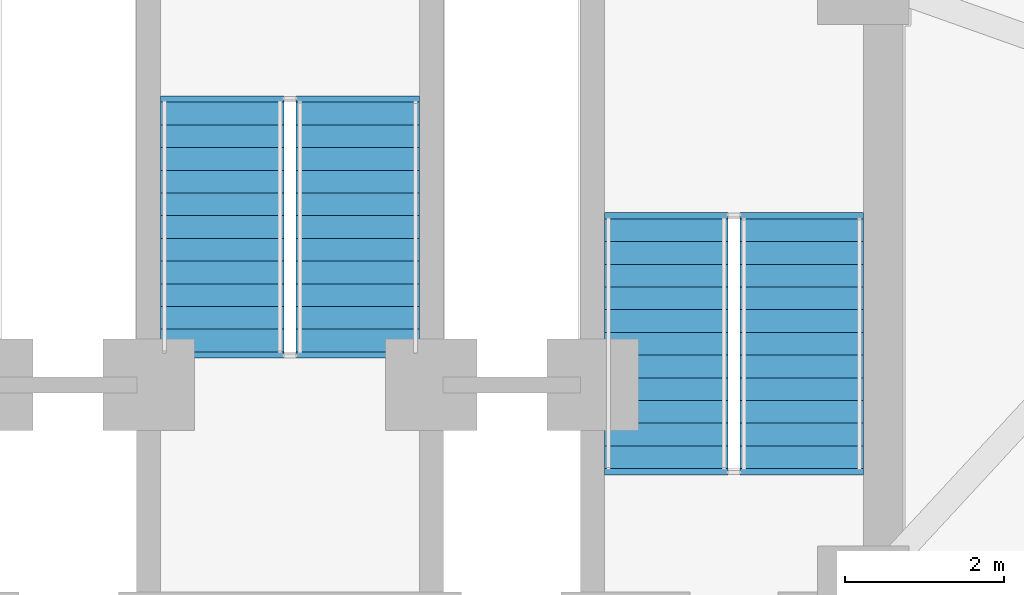
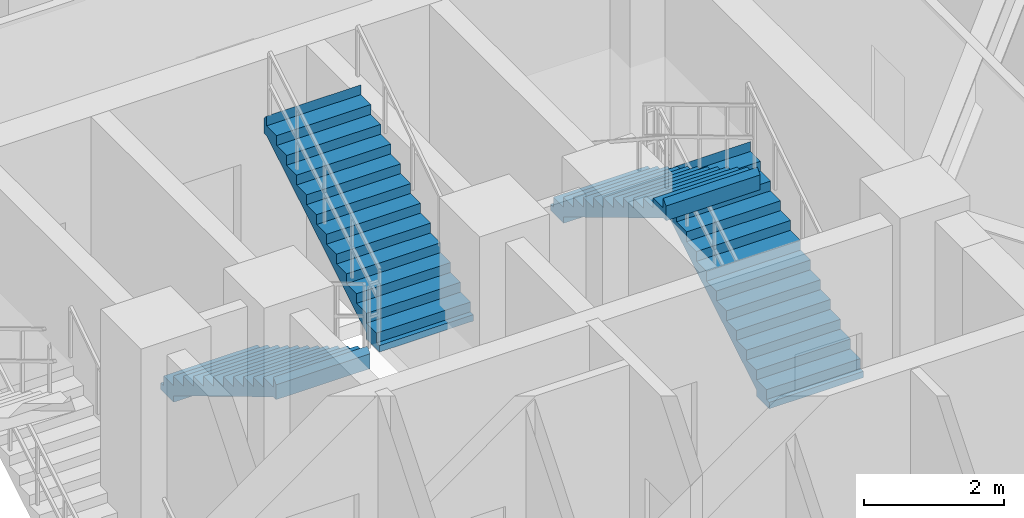
# One storey, part 8 of 11: 4 stair flights, 2 elements without a shape of their own.
"""IFC4 building model written with IfcOpenShell, lengths in metres."""

from ifc_helpers import new_model, si_unit, direction, frame, origin, place, context, subcontext, project, spatial, polyline, outline, extrude, material, type_object, element, aggregate, save


model = new_model("IFC4")

# Units and contexts
model_context = context("Model", 3, precision=1e-05, world=origin(), true_north=direction((0.0, 1.0)))
body_context = subcontext(model_context, "Body", "Model", "MODEL_VIEW")
ifc_project = project(units=[si_unit("LENGTHUNIT", "METRE"), si_unit("AREAUNIT", "SQUARE_METRE"), si_unit("VOLUMEUNIT", "CUBIC_METRE"), si_unit("PLANEANGLEUNIT", "RADIAN"), si_unit("MASSUNIT", "GRAM", prefix="KILO")], contexts=[model_context])

# Site, building, storey
site_placement = place(None, origin())
site = spatial("IfcSite", under=ifc_project, at=site_placement, CompositionType="ELEMENT")
building_placement = place(site_placement, origin())
building = spatial("IfcBuilding", under=site, at=building_placement, Name="Apsidion Concourse Tower", CompositionType="ELEMENT")
storey_placement = place(building_placement, frame((0.0, 0.0, 244.5)))
storey = spatial("IfcBuildingStorey", under=building, at=storey_placement, Name="L57", CompositionType="ELEMENT", Elevation=244.5)

# Stair, stair flights
ifc_material = material(Name="Precast concrete C40/50", Category="concrete")
stair_type = type_object("IfcStairType", Name="ST-DL-1550", PredefinedType="HALF_TURN_STAIR", material=ifc_material)
stair_1_placement = place(storey_placement, origin())
stair_1 = element("IfcStair", 1, at=stair_1_placement, inside=storey, type_object=stair_type, Name="L57 Protected Core Exit Stair ST2", PredefinedType="HALF_TURN_STAIR")
stair_flight_type = type_object("IfcStairFlightType", Name="SFL-RC-1550", PredefinedType="STRAIGHT", material=ifc_material)
stair_flight_1_placement = place(storey_placement, frame((6.425048828125, 3.0, 0.0), z_axis=(0.0, 0.0, 1.0), x_axis=(0.0, 1.0, 0.0)))
stair_flight_1 = element("IfcStairFlight", 2, at=stair_flight_1_placement, type_object=stair_flight_type, Name="ST2 flight 1", NumberOfRisers=12, NumberOfTreads=11, PredefinedType="STRAIGHT", RiserHeight=0.170833333, TreadLength=0.285, context=body_context, shape_type="SweptSolid", body=[
    extrude(outline(polyline([(-0.080078125, -0.1123046875), (-0.080078125, 0.0), (0.0, 0.0), (0.0, 0.1708984375), (0.284912109375, 0.1708984375), (0.284912109375, 0.341552734375), (0.570068359375, 0.341552734375), (0.570068359375, 0.512451171875), (0.85498046875, 0.512451171875), (0.85498046875, 0.683349609375), (1.139892578125, 0.683349609375), (1.139892578125, 0.854248046875), (1.425048828125, 0.854248046875), (1.425048828125, 1.02490234375), (1.7099609375, 1.02490234375), (1.7099609375, 1.19580078125), (1.9951171875, 1.19580078125), (1.9951171875, 1.36669921875), (2.280029296875, 1.36669921875), (2.280029296875, 1.53759765625), (2.56494140625, 1.53759765625), (2.56494140625, 1.708251953125), (2.85009765625, 1.708251953125), (2.85009765625, 1.879150390625), (3.135009765625, 1.879150390625), (3.135009765625, 2.050048828125), (3.215087890625, 1.964599609375), (3.215087890625, 1.704345703125), (3.135009765625, 1.704345703125), (0.29150390625, 0.0), (0.29150390625, -0.1123046875), (-0.080078125, -0.1123046875)])), frame((0.0, 0.77490234375, 0.0), z_axis=(0.0, -1.0, 0.0), x_axis=(1.0, 0.0, 0.0)), (0.0, 0.0, 1.0), 1.550048828125),
])
stair_flight_2_placement = place(storey_placement, frame((4.72509765625, 6.135009765625, 2.050048828125), z_axis=(0.0, 0.0, 1.0), x_axis=(0.0, -1.0, 0.0)))
stair_flight_2 = element("IfcStairFlight", 3, at=stair_flight_2_placement, type_object=stair_flight_type, Name="ST2 flight 2", NumberOfRisers=12, NumberOfTreads=11, PredefinedType="STRAIGHT", RiserHeight=0.170833333, TreadLength=0.285, context=body_context, shape_type="SweptSolid", body=[
    extrude(outline(polyline([(-0.080078125, -0.1123046875), (-0.080078125, 0.0), (0.0, 0.0), (0.0, 0.1708984375), (0.284912109375, 0.1708984375), (0.284912109375, 0.341552734375), (0.570068359375, 0.341552734375), (0.570068359375, 0.512451171875), (0.85498046875, 0.512451171875), (0.85498046875, 0.683349609375), (1.139892578125, 0.683349609375), (1.139892578125, 0.854248046875), (1.425048828125, 0.854248046875), (1.425048828125, 1.02490234375), (1.7099609375, 1.02490234375), (1.7099609375, 1.19580078125), (1.9951171875, 1.19580078125), (1.9951171875, 1.36669921875), (2.280029296875, 1.36669921875), (2.280029296875, 1.53759765625), (2.56494140625, 1.53759765625), (2.56494140625, 1.708251953125), (2.85009765625, 1.708251953125), (2.85009765625, 1.879150390625), (3.135009765625, 1.879150390625), (3.135009765625, 2.050048828125), (3.215087890625, 1.964599609375), (3.215087890625, 1.704345703125), (3.135009765625, 1.704345703125), (0.29150390625, 0.0), (0.29150390625, -0.1123046875), (-0.080078125, -0.1123046875)])), frame((0.0, 0.77490234375, 0.0), z_axis=(0.0, -1.0, 0.0), x_axis=(1.0, 0.0, 0.0)), (0.0, 0.0, 1.0), 1.550048828125),
])
aggregate(stair_1, [stair_flight_1, stair_flight_2])

stair_2_placement = place(storey_placement, origin())
stair_2 = element("IfcStair", 4, at=stair_2_placement, inside=storey, type_object=stair_type, Name="L57 Protected Core Exit Stair ST3", PredefinedType="HALF_TURN_STAIR")
stair_flight_3_placement = place(storey_placement, frame((-0.85009765625, 7.60009765625, 0.0), z_axis=(0.0, 0.0, 1.0), x_axis=(0.0, -1.0, 0.0)))
stair_flight_3 = element("IfcStairFlight", 5, at=stair_flight_3_placement, type_object=stair_flight_type, Name="ST3 flight 1", NumberOfRisers=12, NumberOfTreads=11, PredefinedType="STRAIGHT", RiserHeight=0.170833333, TreadLength=0.285, context=body_context, shape_type="SweptSolid", body=[
    extrude(outline(polyline([(-0.080078125, -0.1123046875), (-0.080078125, 0.0), (0.0, 0.0), (0.0, 0.1708984375), (0.284912109375, 0.1708984375), (0.284912109375, 0.341552734375), (0.570068359375, 0.341552734375), (0.570068359375, 0.512451171875), (0.85498046875, 0.512451171875), (0.85498046875, 0.683349609375), (1.139892578125, 0.683349609375), (1.139892578125, 0.854248046875), (1.425048828125, 0.854248046875), (1.425048828125, 1.02490234375), (1.7099609375, 1.02490234375), (1.7099609375, 1.19580078125), (1.9951171875, 1.19580078125), (1.9951171875, 1.36669921875), (2.280029296875, 1.36669921875), (2.280029296875, 1.53759765625), (2.56494140625, 1.53759765625), (2.56494140625, 1.708251953125), (2.85009765625, 1.708251953125), (2.85009765625, 1.879150390625), (3.135009765625, 1.879150390625), (3.135009765625, 2.050048828125), (3.215087890625, 1.964599609375), (3.215087890625, 1.704345703125), (3.135009765625, 1.704345703125), (0.29150390625, 0.0), (0.29150390625, -0.1123046875), (-0.080078125, -0.1123046875)])), frame((0.0, 0.77490234375, 0.0), z_axis=(0.0, -1.0, 0.0), x_axis=(1.0, 0.0, 0.0)), (0.0, 0.0, 1.0), 1.550048828125),
])
stair_flight_4_placement = place(storey_placement, frame((0.85009765625, 4.465087890625, 2.050048828125), z_axis=(0.0, 0.0, 1.0), x_axis=(0.0, 1.0, 0.0)))
stair_flight_4 = element("IfcStairFlight", 6, at=stair_flight_4_placement, type_object=stair_flight_type, Name="ST3 flight 2", NumberOfRisers=12, NumberOfTreads=11, PredefinedType="STRAIGHT", RiserHeight=0.170833333, TreadLength=0.285, context=body_context, shape_type="SweptSolid", body=[
    extrude(outline(polyline([(-0.080078125, -0.1123046875), (-0.080078125, 0.0), (0.0, 0.0), (0.0, 0.1708984375), (0.284912109375, 0.1708984375), (0.284912109375, 0.341552734375), (0.570068359375, 0.341552734375), (0.570068359375, 0.512451171875), (0.85498046875, 0.512451171875), (0.85498046875, 0.683349609375), (1.139892578125, 0.683349609375), (1.139892578125, 0.854248046875), (1.425048828125, 0.854248046875), (1.425048828125, 1.02490234375), (1.7099609375, 1.02490234375), (1.7099609375, 1.19580078125), (1.9951171875, 1.19580078125), (1.9951171875, 1.36669921875), (2.280029296875, 1.36669921875), (2.280029296875, 1.53759765625), (2.56494140625, 1.53759765625), (2.56494140625, 1.708251953125), (2.85009765625, 1.708251953125), (2.85009765625, 1.879150390625), (3.135009765625, 1.879150390625), (3.135009765625, 2.050048828125), (3.215087890625, 1.964599609375), (3.215087890625, 1.704345703125), (3.135009765625, 1.704345703125), (0.29150390625, 0.0), (0.29150390625, -0.1123046875), (-0.080078125, -0.1123046875)])), frame((0.0, 0.77490234375, 0.0), z_axis=(0.0, -1.0, 0.0), x_axis=(1.0, 0.0, 0.0)), (0.0, 0.0, 1.0), 1.550048828125),
])
aggregate(stair_2, [stair_flight_3, stair_flight_4])

save(model, "model.ifc")
